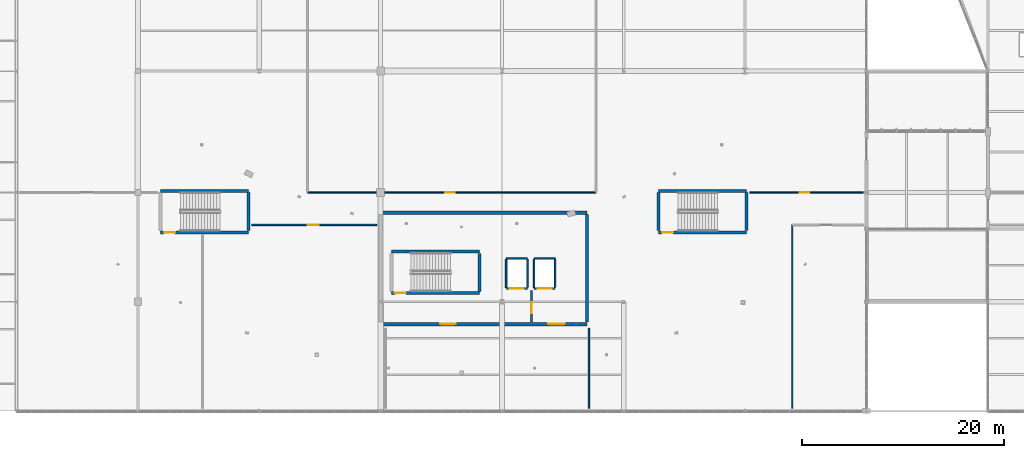
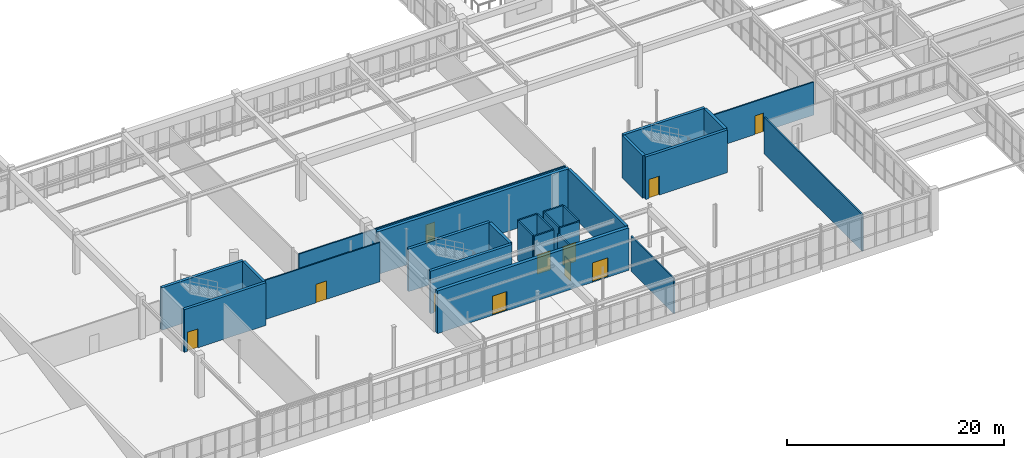
# One storey, part 191 of 226: 27 walls, 11 doors, 11 openings.
"""IFC4 building model written with IfcOpenShell, lengths in metres."""

from ifc_helpers import new_model, si_unit, direction, frame, frame_2d, origin, place, context, subcontext, project, spatial, rectangle, extrude, material, layer, layer_set, type_object, element, fill, save


model = new_model("IFC4")

# Units and contexts
model_context = context("Model", 3, precision=1e-05, world=origin(), true_north=direction((0.0, 1.0)))
body_context = subcontext(model_context, "Body", "Model", "MODEL_VIEW")
ifc_project = project(units=[si_unit("LENGTHUNIT", "METRE"), si_unit("AREAUNIT", "SQUARE_METRE"), si_unit("VOLUMEUNIT", "CUBIC_METRE"), si_unit("PLANEANGLEUNIT", "RADIAN"), si_unit("MASSUNIT", "GRAM", prefix="KILO")], contexts=[model_context])

# Site, building, storey
site_placement = place(None, origin())
site = spatial("IfcSite", under=ifc_project, at=site_placement, CompositionType="ELEMENT")
building_placement = place(site_placement, origin())
building = spatial("IfcBuilding", under=site, at=building_placement, Name="Tarnwether General Hospital", CompositionType="ELEMENT")
storey_placement = place(building_placement, frame((0.0, 0.0, 4.800048828125)))
storey = spatial("IfcBuildingStorey", under=building, at=storey_placement, Name="L01", CompositionType="ELEMENT", Elevation=4.800048828125)

# Wall, opening, door
ifc_material_1 = material(Name="Gypsum plasterboard")
ifc_layer_1 = layer(ifc_material_1, 0.139892578125)
ifc_layer_set_1 = layer_set([ifc_layer_1], Name="Gypsum plasterboard")
wall_type_1 = type_object("IfcWallType", Name="WL-PT140", PredefinedType="PARTITIONING", material=ifc_layer_set_1)
wall_1_placement = place(storey_placement, frame((71.25, 18.39990234375, 0.0), z_axis=(0.0, 0.0, 1.0), x_axis=(1.0, 0.0, 0.0)))
wall_1 = element("IfcWall", 1, at=wall_1_placement, inside=storey, type_object=wall_type_1, Name="Interior Partition PT-L01-0206", PredefinedType="PARTITIONING", context=body_context, shape_type="SweptSolid", body=[
    extrude(rectangle(XDim=12.35009765625, YDim=0.139892578125, at=frame_2d((6.175048828125, 0.0))), origin(), (0.0, 0.0, 1.0), 4.429931640625),
])
opening_1_placement = place(wall_1_placement, frame((5.52490234375, 0.0, 0.0)))
opening_1 = element("IfcOpeningElement", 2, at=opening_1_placement, cuts=wall_1, Name="Opening D-07", PredefinedType="OPENING", context=body_context, shape_type="SweptSolid", body=[
    extrude(rectangle(XDim=1.1201171875, YDim=2.080078125, at=frame_2d((0.56005859375, 1.0400390625))), frame((0.0, 0.080078125, 0.0), z_axis=(0.0, -1.0, 0.0), x_axis=(1.0, 0.0, 0.0)), (0.0, 0.0, 1.0), 0.159912109375),
])
ifc_material_2 = material(Name="Anodised aluminium", Category="aluminium")
door_type_1 = type_object("IfcDoorType", Name="DR-IN07", OperationType="NOTDEFINED", PredefinedType="DOOR", material=ifc_material_2)
door_1_placement = place(opening_1_placement, origin())
door_1 = element("IfcDoor", 3, at=door_1_placement, inside=storey, type_object=door_type_1, Name="Interior Door DR-L01-0114", OperationType="SINGLE_SWING_RIGHT", OverallHeight=2.080078125, OverallWidth=1.1201171875, PredefinedType="DOOR", context=body_context, shape_type="SweptSolid", body=[
    extrude(rectangle(XDim=1.1201171875, YDim=2.080078125, at=frame_2d((0.56005859375, 1.0400390625))), frame((0.0, 0.02490234375, 0.0), z_axis=(0.0, -1.0, 0.0), x_axis=(1.0, 0.0, 0.0)), (0.0, 0.0, 1.0), 0.050048828125),
])
fill(opening_1, door_1)

# Walls
wall_2_placement = place(storey_placement, frame((104.570068359375, 0.300048828125, 0.0), z_axis=(0.0, 0.0, 1.0), x_axis=(0.0, 1.0, 0.0)))
element("IfcWall", 4, at=wall_2_placement, inside=storey, type_object=wall_type_1, Name="Interior Partition PT-L01-0208", PredefinedType="PARTITIONING", context=body_context, shape_type="SweptSolid", body=[
    extrude(rectangle(XDim=7.89990234375, YDim=0.139892578125, at=frame_2d((3.949951171875, 0.0))), origin(), (0.0, 0.0, 1.0), 3.975830078125),
])
wall_3_placement = place(storey_placement, frame((124.666015625, 0.300048828125, 0.0), z_axis=(0.0, 0.0, 1.0), x_axis=(0.0, 1.0, 0.0)))
element("IfcWall", 5, at=wall_3_placement, inside=storey, type_object=wall_type_1, Name="Interior Partition PT-L01-0209", PredefinedType="PARTITIONING", context=body_context, shape_type="SweptSolid", body=[
    extrude(rectangle(XDim=18.099853515625, YDim=0.139892578125, at=frame_2d((9.0498046875, 0.0))), origin(), (0.0, 0.0, 1.0), 4.1298828125),
])

# Wall, opening, door
wall_4_placement = place(storey_placement, frame((76.778076171875, 21.60009765625, 0.0), z_axis=(0.0, 0.0, 1.0), x_axis=(1.0, 0.0, 0.0)))
wall_4 = element("IfcWall", 6, at=wall_4_placement, inside=storey, type_object=wall_type_1, Name="Interior Partition PT-L01-0213", PredefinedType="PARTITIONING", context=body_context, shape_type="SweptSolid", body=[
    extrude(rectangle(XDim=28.47802734375, YDim=0.139892578125, at=frame_2d((14.239013671875, 0.0))), origin(), (0.0, 0.0, 1.0), 3.530029296875),
])
opening_2_placement = place(wall_4_placement, frame((13.589111328125, 0.0, 0.0)))
opening_2 = element("IfcOpeningElement", 7, at=opening_2_placement, cuts=wall_4, Name="Opening D-10", PredefinedType="OPENING", context=body_context, shape_type="SweptSolid", body=[
    extrude(rectangle(XDim=0.9599609375, YDim=2.06005859375, at=frame_2d((0.47998046875, 1.030029296875))), frame((0.0, 0.080078125, 0.0), z_axis=(0.0, -1.0, 0.0), x_axis=(1.0, 0.0, 0.0)), (0.0, 0.0, 1.0), 0.159912109375),
])
ifc_material_3 = material(Name="Anodised aluminium", Category="aluminium")
door_type_2 = type_object("IfcDoorType", Name="DR-IN10", OperationType="NOTDEFINED", PredefinedType="DOOR", material=ifc_material_3)
door_2_placement = place(opening_2_placement, origin())
door_2 = element("IfcDoor", 8, at=door_2_placement, inside=storey, type_object=door_type_2, Name="Interior Door DR-L01-0117", OperationType="SINGLE_SWING_LEFT", OverallHeight=2.06005859375, OverallWidth=0.9599609375, PredefinedType="DOOR", context=body_context, shape_type="SweptSolid", body=[
    extrude(rectangle(XDim=0.9599609375, YDim=2.06005859375, at=frame_2d((0.47998046875, 1.030029296875))), frame((0.0, 0.02490234375, 0.0), z_axis=(0.0, -1.0, 0.0), x_axis=(1.0, 0.0, 0.0)), (0.0, 0.0, 1.0), 0.050048828125),
])
fill(opening_2, door_2)

wall_5_placement = place(storey_placement, frame((120.449951171875, 21.60009765625, 0.0), z_axis=(0.0, 0.0, 1.0), x_axis=(1.0, 0.0, 0.0)))
wall_5 = element("IfcWall", 9, at=wall_5_placement, inside=storey, type_object=wall_type_1, Name="Interior Partition PT-L01-0215", PredefinedType="PARTITIONING", context=body_context, shape_type="SweptSolid", body=[
    extrude(rectangle(XDim=11.25, YDim=0.139892578125, at=frame_2d((5.625, 0.0))), origin(), (0.0, 0.0, 1.0), 3.738037109375),
])
opening_3_placement = place(wall_5_placement, frame((4.97509765625, 0.0, 0.0)))
opening_3 = element("IfcOpeningElement", 10, at=opening_3_placement, cuts=wall_5, Name="Opening D-11", PredefinedType="OPENING", context=body_context, shape_type="SweptSolid", body=[
    extrude(rectangle(XDim=0.89990234375, YDim=2.10009765625, at=frame_2d((0.449951171875, 1.050048828125))), frame((0.0, 0.080078125, 0.0), z_axis=(0.0, -1.0, 0.0), x_axis=(1.0, 0.0, 0.0)), (0.0, 0.0, 1.0), 0.159912109375),
])
ifc_material_4 = material(Name="Anodised aluminium", Category="aluminium")
door_type_3 = type_object("IfcDoorType", Name="DR-IN11", OperationType="NOTDEFINED", PredefinedType="DOOR", material=ifc_material_4)
door_3_placement = place(opening_3_placement, origin())
door_3 = element("IfcDoor", 11, at=door_3_placement, inside=storey, type_object=door_type_3, Name="Interior Door DR-L01-0118", OperationType="SINGLE_SWING_RIGHT", OverallHeight=2.10009765625, OverallWidth=0.89990234375, PredefinedType="DOOR", context=body_context, shape_type="SweptSolid", body=[
    extrude(rectangle(XDim=0.89990234375, YDim=2.10009765625, at=frame_2d((0.449951171875, 1.050048828125))), frame((0.0, 0.02490234375, 0.0), z_axis=(0.0, -1.0, 0.0), x_axis=(1.0, 0.0, 0.0)), (0.0, 0.0, 1.0), 0.050048828125),
])
fill(opening_3, door_3)

ifc_material_5 = material(Name="Gypsum plasterboard")
ifc_layer_2 = layer(ifc_material_5, 0.159912109375)
ifc_layer_set_2 = layer_set([ifc_layer_2], Name="Gypsum plasterboard")
wall_type_2 = type_object("IfcWallType", Name="WL-PT160", PredefinedType="PARTITIONING", material=ifc_layer_set_2)
wall_6_placement = place(storey_placement, frame((96.409912109375, 12.110107421875, 0.0), z_axis=(0.0, 0.0, 1.0), x_axis=(1.0, 0.0, 0.0)))
wall_6 = element("IfcWall", 12, at=wall_6_placement, inside=storey, type_object=wall_type_2, Name="Lift L-02 Shaft Wall LSH-L-02-L01-S", PredefinedType="PARTITIONING", context=body_context, shape_type="SweptSolid", body=[
    extrude(rectangle(XDim=2.080078125, YDim=0.159912109375, at=frame_2d((1.0400390625, 0.0))), origin(), (0.0, 0.0, 1.0), 4.429931640625),
])
opening_4_placement = place(wall_6_placement, frame((0.340087890625, 0.0, 0.0)))
opening_4 = element("IfcOpeningElement", 13, at=opening_4_placement, cuts=wall_6, Name="Opening LD-01", PredefinedType="OPENING", context=body_context, shape_type="SweptSolid", body=[
    extrude(rectangle(XDim=1.39990234375, YDim=2.199951171875, at=frame_2d((0.699951171875, 1.10009765625))), frame((0.0, 0.08984375, 0.0), z_axis=(0.0, -1.0, 0.0), x_axis=(1.0, 0.0, 0.0)), (0.0, 0.0, 1.0), 0.179931640625),
])
ifc_material_6 = material(Name="Anodised aluminium", Category="aluminium")
door_type_4 = type_object("IfcDoorType", Name="DR-LD01", OperationType="NOTDEFINED", PredefinedType="DOOR", material=ifc_material_6)
door_4_placement = place(opening_4_placement, origin())
door_4 = element("IfcDoor", 14, at=door_4_placement, inside=storey, type_object=door_type_4, Name="Lift L-02 Sliding Landing Door L01", OperationType="SLIDING_TO_LEFT", OverallHeight=2.199951171875, OverallWidth=1.39990234375, PredefinedType="DOOR", context=body_context, shape_type="SweptSolid", body=[
    extrude(rectangle(XDim=1.39990234375, YDim=2.199951171875, at=frame_2d((0.699951171875, 1.10009765625))), frame((0.0, 0.02490234375, 0.0), z_axis=(0.0, -1.0, 0.0), x_axis=(1.0, 0.0, 0.0)), (0.0, 0.0, 1.0), 0.050048828125),
])
fill(opening_4, door_4)

# Walls
wall_7_placement = place(storey_placement, frame((98.489990234375, 15.090087890625, 0.0), z_axis=(0.0, 0.0, 1.0), x_axis=(-1.0, 0.0, 0.0)))
element("IfcWall", 15, at=wall_7_placement, inside=storey, type_object=wall_type_2, Name="Lift L-02 Shaft Wall LSH-L-02-L01-N", PredefinedType="PARTITIONING", context=body_context, shape_type="SweptSolid", body=[
    extrude(rectangle(XDim=2.080078125, YDim=0.159912109375, at=frame_2d((1.0400390625, 0.0))), origin(), (0.0, 0.0, 1.0), 4.429931640625),
])
for number, where, z_axis, x_axis, name in (
    (16, (96.409912109375, 14.989990234375, 0.0), (0.0, 0.0, 1.0), (0.0, -1.0, 0.0), "Lift L-02 Shaft Wall LSH-L-02-L01-W"),
    (17, (98.489990234375, 12.2099609375, 0.0), (0.0, 0.0, 1.0), (0.0, 1.0, 0.0), "Lift L-02 Shaft Wall LSH-L-02-L01-E"),
):
    element("IfcWall", number, at=place(storey_placement, frame(where, z_axis=z_axis, x_axis=x_axis)), inside=storey, type_object=wall_type_2, Name=name, PredefinedType="PARTITIONING", context=body_context, shape_type="SweptSolid", body=[
        extrude(rectangle(XDim=2.780029296875, YDim=0.159912109375, at=frame_2d((1.39013671875, 0.0))), origin(), (0.0, 0.0, 1.0), 4.429931640625),
    ])

# Wall, opening, door
wall_8_placement = place(storey_placement, frame((99.159912109375, 12.110107421875, 0.0), z_axis=(0.0, 0.0, 1.0), x_axis=(1.0, 0.0, 0.0)))
wall_8 = element("IfcWall", 18, at=wall_8_placement, inside=storey, type_object=wall_type_2, Name="Lift L-04 Shaft Wall LSH-L-04-L01-S", PredefinedType="PARTITIONING", context=body_context, shape_type="SweptSolid", body=[
    extrude(rectangle(XDim=2.080078125, YDim=0.159912109375, at=frame_2d((1.0400390625, 0.0))), origin(), (0.0, 0.0, 1.0), 4.429931640625),
])
opening_5_placement = place(wall_8_placement, frame((0.340087890625, 0.0, 0.0)))
opening_5 = element("IfcOpeningElement", 19, at=opening_5_placement, cuts=wall_8, Name="Opening LD-01", PredefinedType="OPENING", context=body_context, shape_type="SweptSolid", body=[
    extrude(rectangle(XDim=1.39990234375, YDim=2.199951171875, at=frame_2d((0.699951171875, 1.10009765625))), frame((0.0, 0.08984375, 0.0), z_axis=(0.0, -1.0, 0.0), x_axis=(1.0, 0.0, 0.0)), (0.0, 0.0, 1.0), 0.179931640625),
])
door_5_placement = place(opening_5_placement, origin())
door_5 = element("IfcDoor", 20, at=door_5_placement, inside=storey, type_object=door_type_4, Name="Lift L-04 Sliding Landing Door L01", OperationType="SLIDING_TO_LEFT", OverallHeight=2.199951171875, OverallWidth=1.39990234375, PredefinedType="DOOR", context=body_context, shape_type="SweptSolid", body=[
    extrude(rectangle(XDim=1.39990234375, YDim=2.199951171875, at=frame_2d((0.699951171875, 1.10009765625))), frame((0.0, 0.02490234375, 0.0), z_axis=(0.0, -1.0, 0.0), x_axis=(1.0, 0.0, 0.0)), (0.0, 0.0, 1.0), 0.050048828125),
])
fill(opening_5, door_5)

# Walls
wall_9_placement = place(storey_placement, frame((101.239990234375, 15.090087890625, 0.0), z_axis=(0.0, 0.0, 1.0), x_axis=(-1.0, 0.0, 0.0)))
element("IfcWall", 21, at=wall_9_placement, inside=storey, type_object=wall_type_2, Name="Lift L-04 Shaft Wall LSH-L-04-L01-N", PredefinedType="PARTITIONING", context=body_context, shape_type="SweptSolid", body=[
    extrude(rectangle(XDim=2.080078125, YDim=0.159912109375, at=frame_2d((1.0400390625, 0.0))), origin(), (0.0, 0.0, 1.0), 4.429931640625),
])
for number, where, z_axis, x_axis, name in (
    (22, (99.159912109375, 14.989990234375, 0.0), (0.0, 0.0, 1.0), (0.0, -1.0, 0.0), "Lift L-04 Shaft Wall LSH-L-04-L01-W"),
    (23, (101.239990234375, 12.2099609375, 0.0), (0.0, 0.0, 1.0), (0.0, 1.0, 0.0), "Lift L-04 Shaft Wall LSH-L-04-L01-E"),
):
    element("IfcWall", number, at=place(storey_placement, frame(where, z_axis=z_axis, x_axis=x_axis)), inside=storey, type_object=wall_type_2, Name=name, PredefinedType="PARTITIONING", context=body_context, shape_type="SweptSolid", body=[
        extrude(rectangle(XDim=2.780029296875, YDim=0.159912109375, at=frame_2d((1.39013671875, 0.0))), origin(), (0.0, 0.0, 1.0), 4.429931640625),
    ])

# Wall, opening, door
wall_10_placement = place(storey_placement, frame((98.89990234375, 8.85009765625, 0.0), z_axis=(0.0, 0.0, 1.0), x_axis=(0.0, 1.0, 0.0)))
wall_10 = element("IfcWall", 24, at=wall_10_placement, inside=storey, type_object=wall_type_2, Name="Firefighting Lobby Divider K2 L01", PredefinedType="PARTITIONING", context=body_context, shape_type="SweptSolid", body=[
    extrude(rectangle(XDim=3.0498046875, YDim=0.159912109375, at=frame_2d((1.52490234375, 0.0))), origin(), (0.0, 0.0, 1.0), 3.975830078125),
])
opening_6_placement = place(wall_10_placement, frame((0.800048828125, 0.0, 0.0)))
opening_6 = element("IfcOpeningElement", 25, at=opening_6_placement, cuts=wall_10, Name="Opening FD-06", PredefinedType="OPENING", context=body_context, shape_type="SweptSolid", body=[
    extrude(rectangle(XDim=1.10009765625, YDim=2.14990234375, at=frame_2d((0.550048828125, 1.074951171875))), frame((0.0, 0.08984375, 0.0), z_axis=(0.0, -1.0, 0.0), x_axis=(1.0, 0.0, 0.0)), (0.0, 0.0, 1.0), 0.179931640625),
])
ifc_material_7 = material(Name="Anodised aluminium", Category="aluminium")
door_type_5 = type_object("IfcDoorType", Name="DR-FD06", OperationType="NOTDEFINED", PredefinedType="DOOR", material=ifc_material_7)
door_6_placement = place(opening_6_placement, origin())
door_6 = element("IfcDoor", 26, at=door_6_placement, inside=storey, type_object=door_type_5, Name="Core K2 Inter-Lobby Smoke Door L01", OperationType="SINGLE_SWING_RIGHT", OverallHeight=2.14990234375, OverallWidth=1.10009765625, PredefinedType="DOOR", context=body_context, shape_type="SweptSolid", body=[
    extrude(rectangle(XDim=1.10009765625, YDim=2.14990234375, at=frame_2d((0.550048828125, 1.074951171875))), frame((0.0, 0.02490234375, 0.0), z_axis=(0.0, -1.0, 0.0), x_axis=(1.0, 0.0, 0.0)), (0.0, 0.0, 1.0), 0.050048828125),
])
fill(opening_6, door_6)

# Wall
ifc_material_8 = material(Name="Concrete 50 MPa", Category="concrete")
ifc_layer_3 = layer(ifc_material_8, 0.300048828125)
ifc_layer_set_3 = layer_set([ifc_layer_3], Name="Concrete 50 MPa")
wall_type_3 = type_object("IfcWallType", Name="WL-SW300", PredefinedType="SHEAR", material=ifc_layer_set_3)
wall_11_placement = place(storey_placement, frame((104.39990234375, 19.39990234375, 0.0), z_axis=(0.0, 0.0, 1.0), x_axis=(0.0, -1.0, 0.0)))
element("IfcWall", 27, at=wall_11_placement, inside=storey, type_object=wall_type_3, Name="Core Shear Wall CWALL-K2-L01-E", PredefinedType="SHEAR", context=body_context, shape_type="SweptSolid", body=[
    extrude(rectangle(XDim=10.599853515625, YDim=0.300048828125, at=frame_2d((5.2998046875, 0.0))), origin(), (0.0, 0.0, 1.0), 4.800048828125),
])

# Wall, opening, door
wall_12_placement = place(storey_placement, frame((85.050048828125, 11.64990234375, 0.0), z_axis=(0.0, 0.0, 1.0), x_axis=(1.0, 0.0, 0.0)))
wall_12 = element("IfcWall", 28, at=wall_12_placement, inside=storey, type_object=wall_type_3, Name="Stairwell Shear Wall STW-ST-02-L01-B", PredefinedType="SHEAR", context=body_context, shape_type="SweptSolid", body=[
    extrude(rectangle(XDim=8.699951171875, YDim=0.300048828125, at=frame_2d((4.35009765625, 0.0))), origin(), (0.0, 0.0, 1.0), 4.800048828125),
])
opening_7_placement = place(wall_12_placement, frame((0.35009765625, 0.0, 0.0)))
opening_7 = element("IfcOpeningElement", 29, at=opening_7_placement, cuts=wall_12, Name="Opening FD-06", PredefinedType="OPENING", context=body_context, shape_type="SweptSolid", body=[
    extrude(rectangle(XDim=1.10009765625, YDim=2.14990234375, at=frame_2d((0.550048828125, 1.074951171875))), frame((0.0, 0.16015625, 0.0), z_axis=(0.0, -1.0, 0.0), x_axis=(1.0, 0.0, 0.0)), (0.0, 0.0, 1.0), 0.320068359375),
])
door_7_placement = place(opening_7_placement, origin())
door_7 = element("IfcDoor", 30, at=door_7_placement, inside=storey, type_object=door_type_5, Name="Stairwell ST-02 Safe-Path Fire Door L01", OperationType="SINGLE_SWING_LEFT", OverallHeight=2.14990234375, OverallWidth=1.10009765625, PredefinedType="DOOR", context=body_context, shape_type="SweptSolid", body=[
    extrude(rectangle(XDim=1.10009765625, YDim=2.14990234375, at=frame_2d((0.550048828125, 1.074951171875))), frame((0.0, 0.02490234375, 0.0), z_axis=(0.0, -1.0, 0.0), x_axis=(1.0, 0.0, 0.0)), (0.0, 0.0, 1.0), 0.050048828125),
])
fill(opening_7, door_7)

# Walls
wall_13_placement = place(storey_placement, frame((93.75, 15.75, 0.0), z_axis=(0.0, 0.0, 1.0), x_axis=(-1.0, 0.0, 0.0)))
element("IfcWall", 31, at=wall_13_placement, inside=storey, type_object=wall_type_3, Name="Stairwell Shear Wall STW-ST-02-L01-N", PredefinedType="SHEAR", context=body_context, shape_type="SweptSolid", body=[
    extrude(rectangle(XDim=8.699951171875, YDim=0.300048828125, at=frame_2d((4.35009765625, 0.0))), origin(), (0.0, 0.0, 1.0), 4.800048828125),
])
wall_14_placement = place(storey_placement, frame((93.75, 11.820068359375, 0.0), z_axis=(0.0, 0.0, 1.0), x_axis=(0.0, 1.0, 0.0)))
element("IfcWall", 32, at=wall_14_placement, inside=storey, type_object=wall_type_3, Name="Stairwell Shear Wall STW-ST-02-L01-F", PredefinedType="SHEAR", context=body_context, shape_type="SweptSolid", body=[
    extrude(rectangle(XDim=3.760009765625, YDim=0.300048828125, at=frame_2d((1.8798828125, 0.0))), origin(), (0.0, 0.0, 1.0), 4.800048828125),
])

# Wall, opening, door
wall_15_placement = place(storey_placement, frame((62.25, 17.64990234375, 0.0), z_axis=(0.0, 0.0, 1.0), x_axis=(1.0, 0.0, 0.0)))
wall_15 = element("IfcWall", 33, at=wall_15_placement, inside=storey, type_object=wall_type_3, Name="Stairwell Shear Wall STW-ST-09-L01-B", PredefinedType="SHEAR", context=body_context, shape_type="SweptSolid", body=[
    extrude(rectangle(XDim=8.699951171875, YDim=0.300048828125, at=frame_2d((4.35009765625, 0.0))), origin(), (0.0, 0.0, 1.0), 4.800048828125),
])
opening_8_placement = place(wall_15_placement, frame((0.35009765625, 0.0, 0.0)))
opening_8 = element("IfcOpeningElement", 34, at=opening_8_placement, cuts=wall_15, Name="Opening FD-06", PredefinedType="OPENING", context=body_context, shape_type="SweptSolid", body=[
    extrude(rectangle(XDim=1.10009765625, YDim=2.14990234375, at=frame_2d((0.550048828125, 1.074951171875))), frame((0.0, 0.16015625, 0.0), z_axis=(0.0, -1.0, 0.0), x_axis=(1.0, 0.0, 0.0)), (0.0, 0.0, 1.0), 0.320068359375),
])
door_8_placement = place(opening_8_placement, origin())
door_8 = element("IfcDoor", 35, at=door_8_placement, inside=storey, type_object=door_type_5, Name="Stairwell ST-09 Safe-Path Fire Door L01", OperationType="SINGLE_SWING_RIGHT", OverallHeight=2.14990234375, OverallWidth=1.10009765625, PredefinedType="DOOR", context=body_context, shape_type="SweptSolid", body=[
    extrude(rectangle(XDim=1.10009765625, YDim=2.14990234375, at=frame_2d((0.550048828125, 1.074951171875))), frame((0.0, 0.02490234375, 0.0), z_axis=(0.0, -1.0, 0.0), x_axis=(1.0, 0.0, 0.0)), (0.0, 0.0, 1.0), 0.050048828125),
])
fill(opening_8, door_8)

# Walls
wall_16_placement = place(storey_placement, frame((70.949951171875, 21.75, 0.0), z_axis=(0.0, 0.0, 1.0), x_axis=(-1.0, 0.0, 0.0)))
element("IfcWall", 36, at=wall_16_placement, inside=storey, type_object=wall_type_3, Name="Stairwell Shear Wall STW-ST-09-L01-N", PredefinedType="SHEAR", context=body_context, shape_type="SweptSolid", body=[
    extrude(rectangle(XDim=8.699951171875, YDim=0.300048828125, at=frame_2d((4.35009765625, 0.0))), origin(), (0.0, 0.0, 1.0), 4.800048828125),
])
wall_17_placement = place(storey_placement, frame((70.949951171875, 17.820068359375, 0.0), z_axis=(0.0, 0.0, 1.0), x_axis=(0.0, 1.0, 0.0)))
element("IfcWall", 37, at=wall_17_placement, inside=storey, type_object=wall_type_3, Name="Stairwell Shear Wall STW-ST-09-L01-F", PredefinedType="SHEAR", context=body_context, shape_type="SweptSolid", body=[
    extrude(rectangle(XDim=3.760009765625, YDim=0.300048828125, at=frame_2d((1.8798828125, 0.0))), origin(), (0.0, 0.0, 1.0), 4.800048828125),
])

# Wall, opening, door
wall_18_placement = place(storey_placement, frame((111.449951171875, 17.64990234375, 0.0), z_axis=(0.0, 0.0, 1.0), x_axis=(1.0, 0.0, 0.0)))
wall_18 = element("IfcWall", 38, at=wall_18_placement, inside=storey, type_object=wall_type_3, Name="Stairwell Shear Wall STW-ST-10-L01-B", PredefinedType="SHEAR", context=body_context, shape_type="SweptSolid", body=[
    extrude(rectangle(XDim=8.699951171875, YDim=0.300048828125, at=frame_2d((4.35009765625, 0.0))), origin(), (0.0, 0.0, 1.0), 4.800048828125),
])
opening_9_placement = place(wall_18_placement, frame((0.35009765625, 0.0, 0.0)))
opening_9 = element("IfcOpeningElement", 39, at=opening_9_placement, cuts=wall_18, Name="Opening FD-06", PredefinedType="OPENING", context=body_context, shape_type="SweptSolid", body=[
    extrude(rectangle(XDim=1.10009765625, YDim=2.14990234375, at=frame_2d((0.550048828125, 1.074951171875))), frame((0.0, 0.16015625, 0.0), z_axis=(0.0, -1.0, 0.0), x_axis=(1.0, 0.0, 0.0)), (0.0, 0.0, 1.0), 0.320068359375),
])
door_9_placement = place(opening_9_placement, origin())
door_9 = element("IfcDoor", 40, at=door_9_placement, inside=storey, type_object=door_type_5, Name="Stairwell ST-10 Safe-Path Fire Door L01", OperationType="SINGLE_SWING_RIGHT", OverallHeight=2.14990234375, OverallWidth=1.10009765625, PredefinedType="DOOR", context=body_context, shape_type="SweptSolid", body=[
    extrude(rectangle(XDim=1.10009765625, YDim=2.14990234375, at=frame_2d((0.550048828125, 1.074951171875))), frame((0.0, 0.02490234375, 0.0), z_axis=(0.0, -1.0, 0.0), x_axis=(1.0, 0.0, 0.0)), (0.0, 0.0, 1.0), 0.050048828125),
])
fill(opening_9, door_9)

# Walls
wall_19_placement = place(storey_placement, frame((120.14990234375, 21.75, 0.0), z_axis=(0.0, 0.0, 1.0), x_axis=(-1.0, 0.0, 0.0)))
element("IfcWall", 41, at=wall_19_placement, inside=storey, type_object=wall_type_3, Name="Stairwell Shear Wall STW-ST-10-L01-N", PredefinedType="SHEAR", context=body_context, shape_type="SweptSolid", body=[
    extrude(rectangle(XDim=8.699951171875, YDim=0.300048828125, at=frame_2d((4.35009765625, 0.0))), origin(), (0.0, 0.0, 1.0), 4.800048828125),
])
for number, where, z_axis, x_axis, name in (
    (42, (111.449951171875, 17.820068359375, 0.0), (0.0, 0.0, 1.0), (0.0, 1.0, 0.0), "Stairwell Shear Wall STW-ST-10-L01-L"),
    (43, (120.14990234375, 17.820068359375, 0.0), (0.0, 0.0, 1.0), (0.0, 1.0, 0.0), "Stairwell Shear Wall STW-ST-10-L01-F"),
):
    element("IfcWall", number, at=place(storey_placement, frame(where, z_axis=z_axis, x_axis=x_axis)), inside=storey, type_object=wall_type_3, Name=name, PredefinedType="SHEAR", context=body_context, shape_type="SweptSolid", body=[
        extrude(rectangle(XDim=3.760009765625, YDim=0.300048828125, at=frame_2d((1.8798828125, 0.0))), origin(), (0.0, 0.0, 1.0), 4.800048828125),
    ])
ifc_material_9 = material(Name="Concrete 50 MPa", Category="concrete")
ifc_layer_4 = layer(ifc_material_9, 0.35009765625)
ifc_layer_set_4 = layer_set([ifc_layer_4], Name="Concrete 50 MPa")
wall_type_4 = type_object("IfcWallType", Name="WL-SW350", PredefinedType="SHEAR", material=ifc_layer_set_4)
wall_20_placement = place(storey_placement, frame((84.0, 19.60009765625, 0.0), z_axis=(0.0, 0.0, 1.0), x_axis=(1.0, 0.0, 0.0)))
element("IfcWall", 44, at=wall_20_placement, inside=storey, type_object=wall_type_4, Name="Core Shear Wall CWALL-K2-L01-N", PredefinedType="SHEAR", context=body_context, shape_type="SweptSolid", body=[
    extrude(rectangle(XDim=20.39990234375, YDim=0.35009765625, at=frame_2d((10.199951171875, 0.0))), origin(), (0.0, 0.0, 1.0), 4.800048828125),
])

# Wall, openings, doors
wall_21_placement = place(storey_placement, frame((104.39990234375, 8.60009765625, 0.0), z_axis=(0.0, 0.0, 1.0), x_axis=(-1.0, 0.0, 0.0)))
wall_21 = element("IfcWall", 45, at=wall_21_placement, inside=storey, type_object=wall_type_4, Name="Core Shear Wall CWALL-K2-L01-S", PredefinedType="SHEAR", context=body_context, shape_type="SweptSolid", body=[
    extrude(rectangle(XDim=20.39990234375, YDim=0.35009765625, at=frame_2d((10.199951171875, 0.0))), origin(), (0.0, 0.0, 1.0), 4.800048828125),
])
opening_10_placement = place(wall_21_placement, frame((2.199951171875, 0.0, 0.0)))
opening_10 = element("IfcOpeningElement", 46, at=opening_10_placement, cuts=wall_21, Name="Opening FD-01", PredefinedType="OPENING", context=body_context, shape_type="SweptSolid", body=[
    extrude(rectangle(XDim=1.639892578125, YDim=2.199951171875, at=frame_2d((0.81982421875, 1.10009765625))), frame((0.0, 0.18505859375, 0.0), z_axis=(0.0, -1.0, 0.0), x_axis=(1.0, 0.0, 0.0)), (0.0, 0.0, 1.0), 0.3701171875),
])
opening_11_placement = place(wall_21_placement, frame((13.0, 0.0, 0.0)))
opening_11 = element("IfcOpeningElement", 47, at=opening_11_placement, cuts=wall_21, Name="Opening FD-02", PredefinedType="OPENING", context=body_context, shape_type="SweptSolid", body=[
    extrude(rectangle(XDim=1.52001953125, YDim=2.159912109375, at=frame_2d((0.760009765625, 1.080078125))), frame((0.0, 0.18505859375, 0.0), z_axis=(0.0, -1.0, 0.0), x_axis=(1.0, 0.0, 0.0)), (0.0, 0.0, 1.0), 0.3701171875),
])
ifc_material_10 = material(Name="Anodised aluminium", Category="aluminium")
door_type_6 = type_object("IfcDoorType", Name="DR-FD01", OperationType="NOTDEFINED", PredefinedType="DOOR", material=ifc_material_10)
door_10_placement = place(opening_10_placement, origin())
door_10 = element("IfcDoor", 48, at=door_10_placement, inside=storey, type_object=door_type_6, Name="Core K2 Lobby Fire Door L01", OperationType="DOUBLE_DOOR_SINGLE_SWING", OverallHeight=2.199951171875, OverallWidth=1.639892578125, PredefinedType="DOOR", context=body_context, shape_type="SweptSolid", body=[
    extrude(rectangle(XDim=1.639892578125, YDim=2.199951171875, at=frame_2d((0.81982421875, 1.10009765625))), frame((0.0, 0.02490234375, 0.0), z_axis=(0.0, -1.0, 0.0), x_axis=(1.0, 0.0, 0.0)), (0.0, 0.0, 1.0), 0.050048828125),
])
fill(opening_10, door_10)
ifc_material_11 = material(Name="Anodised aluminium", Category="aluminium")
door_type_7 = type_object("IfcDoorType", Name="DR-FD02", OperationType="NOTDEFINED", PredefinedType="DOOR", material=ifc_material_11)
door_11_placement = place(opening_11_placement, origin())
door_11 = element("IfcDoor", 49, at=door_11_placement, inside=storey, type_object=door_type_7, Name="Core K2 Firefighting Lobby Door L01", OperationType="SINGLE_SWING_LEFT", OverallHeight=2.159912109375, OverallWidth=1.52001953125, PredefinedType="DOOR", context=body_context, shape_type="SweptSolid", body=[
    extrude(rectangle(XDim=1.52001953125, YDim=2.159912109375, at=frame_2d((0.760009765625, 1.080078125))), frame((0.0, 0.02490234375, 0.0), z_axis=(0.0, -1.0, 0.0), x_axis=(1.0, 0.0, 0.0)), (0.0, 0.0, 1.0), 0.050048828125),
])
fill(opening_11, door_11)

save(model, "model.ifc")
